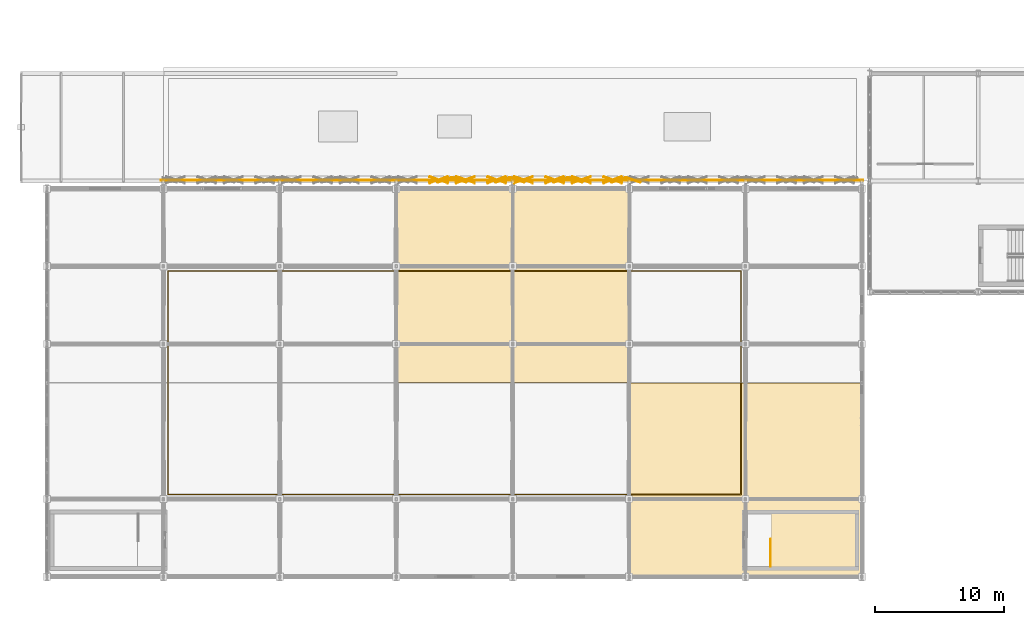
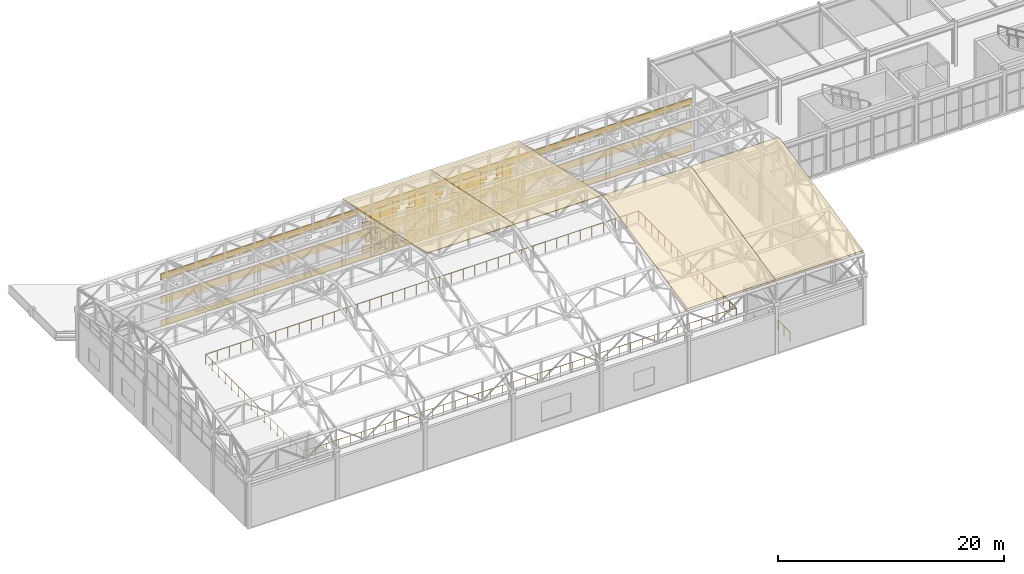
# One storey, part 103 of 112: 50 coverings, 2 railings.
"""IFC4 building model written with IfcOpenShell, lengths in metres."""

from ifc_helpers import new_model, si_unit, direction, frame, origin, origin_2d, place, context, subcontext, project, spatial, polyline, rectangle, circle, outline, extrude, material, layer, layer_set, type_object, element, save


model = new_model("IFC4")

# Units and contexts
model_context = context("Model", 3, precision=1e-05, world=origin(), true_north=direction((0.0, 1.0)))
body_context = subcontext(model_context, "Body", "Model", "MODEL_VIEW")
ifc_project = project(units=[si_unit("LENGTHUNIT", "METRE"), si_unit("AREAUNIT", "SQUARE_METRE"), si_unit("VOLUMEUNIT", "CUBIC_METRE"), si_unit("PLANEANGLEUNIT", "RADIAN"), si_unit("MASSUNIT", "GRAM", prefix="KILO")], contexts=[model_context])

# Site, building, storey
site_placement = place(None, origin())
site = spatial("IfcSite", under=ifc_project, at=site_placement, CompositionType="ELEMENT")
building_placement = place(site_placement, origin())
building = spatial("IfcBuilding", under=site, at=building_placement, Name="Kaldris Quays Convention Centre", CompositionType="ELEMENT")
storey_placement = place(building_placement, frame((0.0, 0.0, 16.800048828125)))
storey = spatial("IfcBuildingStorey", under=building, at=storey_placement, Name="L03", CompositionType="ELEMENT", Elevation=16.800048828125)

# Coverings
ifc_material_1 = material(Name="Alabaster white star-pierced anodized aluminium panel", Category="aluminium")
ifc_layer_1 = layer(ifc_material_1, 0.054931640625)
ifc_layer_set_1 = layer_set([ifc_layer_1], Name="Alabaster white star-pierced anodized aluminium panel")
covering_type_1 = type_object("IfcCoveringType", Name="ALABASTER WHITE STANDING SEAM ROOF SRF1", PredefinedType="ROOFING", material=ifc_layer_set_1)
for number, where, z_axis, x_axis, name in (
    (1, (65.0, 16.0, 7.91015625), (0.0, -0.208631761639, 0.977994267895), (1.0, 0.0, 0.0), "Hall Alabaster White Standing-Seam Roof Panel 28"),
    (2, (74.0, 16.0, 7.91015625), (0.0, -0.208631761639, 0.977994267895), (1.0, 0.0, 0.0), "Hall Alabaster White Standing-Seam Roof Panel 29"),
    (3, (47.0, 31.02490234375, 11.104736328125), (0.0, 0.208631761639, 0.977994267895), (1.0, 0.0, 0.0), "Hall Alabaster White Standing-Seam Roof Panel 33"),
    (4, (56.0, 31.02490234375, 11.104736328125), (0.0, 0.208631761639, 0.977994267895), (1.0, 0.0, 0.0), "Hall Alabaster White Standing-Seam Roof Panel 34"),
):
    element("IfcCovering", number, at=place(storey_placement, frame(where, z_axis=z_axis, x_axis=x_axis)), inside=storey, type_object=covering_type_1, Name=name, PredefinedType="ROOFING", context=body_context, shape_type="SweptSolid", body=[
        extrude(outline(polyline([(0.0, 0.0), (9.0, 0.0), (9.0, 15.312050538375889), (0.0, 15.312050538375889), (0.0, 0.0)])), origin(), (0.0, 0.0, -1.0), 0.054931640625),
    ])

# Railings
ifc_material_2 = material(Name="Stainless steel 1.4401", Category="steel")
railing_type_1 = type_object("IfcRailingType", Name="INTERIOR BALUSTRADE BL02", PredefinedType="BALUSTRADE", material=ifc_material_2)
railing_1_placement = place(storey_placement, frame((29.35009765625, 22.35009765625, 0.0)))
element("IfcRailing", 5, at=railing_1_placement, inside=storey, type_object=railing_type_1, Name="L03 Gallery Balustrade GRD-V3-VOID3", PredefinedType="BALUSTRADE", context=body_context, shape_type="SweptSolid", body=[
    extrude(circle(Radius=0.02392578125, at=origin_2d()), frame((0.0, 0.0, 1.11572265625), z_axis=(1.0, 0.0, 0.0), x_axis=(0.0, 1.0, 0.0)), (0.0, 0.0, 1.0), 44.2998046875),
    extrude(circle(Radius=0.02392578125, at=origin_2d()), frame((44.2998046875, 0.0, 1.11572265625), z_axis=(0.0, 1.0, 0.0), x_axis=(-1.0, 0.0, 0.0)), (0.0, 0.0, 1.0), 17.2998046875),
    extrude(circle(Radius=0.02392578125, at=origin_2d()), frame((44.2998046875, 17.2998046875, 1.11572265625), z_axis=(-1.0, 0.0, 0.0), x_axis=(0.0, -1.0, 0.0)), (0.0, 0.0, 1.0), 44.2998046875),
    extrude(circle(Radius=0.02392578125, at=origin_2d()), frame((0.0, 17.2998046875, 1.11572265625), z_axis=(0.0, -1.0, 0.0), x_axis=(1.0, 0.0, 0.0)), (0.0, 0.0, 1.0), 17.2998046875),
    extrude(circle(Radius=0.02099609375, at=origin_2d()), origin(), (0.0, 0.0, 1.0), 1.091796875),
    extrude(circle(Radius=0.02099609375, at=origin_2d()), frame((1.197265625, 0.0, 0.0)), (0.0, 0.0, 1.0), 1.091796875),
    extrude(circle(Radius=0.02099609375, at=origin_2d()), frame((2.39453125, 0.0, 0.0)), (0.0, 0.0, 1.0), 1.091796875),
    extrude(circle(Radius=0.02099609375, at=origin_2d()), frame((3.591796875, 0.0, 0.0)), (0.0, 0.0, 1.0), 1.091796875),
    extrude(circle(Radius=0.02099609375, at=origin_2d()), frame((4.7890625, 0.0, 0.0)), (0.0, 0.0, 1.0), 1.091796875),
    extrude(circle(Radius=0.02099609375, at=origin_2d()), frame((5.986572265625, 0.0, 0.0)), (0.0, 0.0, 1.0), 1.091796875),
    extrude(circle(Radius=0.02099609375, at=origin_2d()), frame((7.183837890625, 0.0, 0.0)), (0.0, 0.0, 1.0), 1.091796875),
    extrude(circle(Radius=0.02099609375, at=origin_2d()), frame((8.381103515625, 0.0, 0.0)), (0.0, 0.0, 1.0), 1.091796875),
    extrude(circle(Radius=0.02099609375, at=origin_2d()), frame((9.578369140625, 0.0, 0.0)), (0.0, 0.0, 1.0), 1.091796875),
    extrude(circle(Radius=0.02099609375, at=origin_2d()), frame((10.775634765625, 0.0, 0.0)), (0.0, 0.0, 1.0), 1.091796875),
    extrude(circle(Radius=0.02099609375, at=origin_2d()), frame((11.972900390625, 0.0, 0.0)), (0.0, 0.0, 1.0), 1.091796875),
    extrude(circle(Radius=0.02099609375, at=origin_2d()), frame((13.170166015625, 0.0, 0.0)), (0.0, 0.0, 1.0), 1.091796875),
    extrude(circle(Radius=0.02099609375, at=origin_2d()), frame((14.367431640625, 0.0, 0.0)), (0.0, 0.0, 1.0), 1.091796875),
    extrude(circle(Radius=0.02099609375, at=origin_2d()), frame((15.564697265625, 0.0, 0.0)), (0.0, 0.0, 1.0), 1.091796875),
    extrude(circle(Radius=0.02099609375, at=origin_2d()), frame((16.76220703125, 0.0, 0.0)), (0.0, 0.0, 1.0), 1.091796875),
    extrude(circle(Radius=0.02099609375, at=origin_2d()), frame((17.95947265625, 0.0, 0.0)), (0.0, 0.0, 1.0), 1.091796875),
    extrude(circle(Radius=0.02099609375, at=origin_2d()), frame((19.15673828125, 0.0, 0.0)), (0.0, 0.0, 1.0), 1.091796875),
    extrude(circle(Radius=0.02099609375, at=origin_2d()), frame((20.35400390625, 0.0, 0.0)), (0.0, 0.0, 1.0), 1.091796875),
    extrude(circle(Radius=0.02099609375, at=origin_2d()), frame((21.55126953125, 0.0, 0.0)), (0.0, 0.0, 1.0), 1.091796875),
    extrude(circle(Radius=0.02099609375, at=origin_2d()), frame((22.74853515625, 0.0, 0.0)), (0.0, 0.0, 1.0), 1.091796875),
    extrude(circle(Radius=0.02099609375, at=origin_2d()), frame((23.94580078125, 0.0, 0.0)), (0.0, 0.0, 1.0), 1.091796875),
    extrude(circle(Radius=0.02099609375, at=origin_2d()), frame((25.14306640625, 0.0, 0.0)), (0.0, 0.0, 1.0), 1.091796875),
    extrude(circle(Radius=0.02099609375, at=origin_2d()), frame((26.34033203125, 0.0, 0.0)), (0.0, 0.0, 1.0), 1.091796875),
    extrude(circle(Radius=0.02099609375, at=origin_2d()), frame((27.53759765625, 0.0, 0.0)), (0.0, 0.0, 1.0), 1.091796875),
    extrude(circle(Radius=0.02099609375, at=origin_2d()), frame((28.735107421875, 0.0, 0.0)), (0.0, 0.0, 1.0), 1.091796875),
    extrude(circle(Radius=0.02099609375, at=origin_2d()), frame((29.932373046875, 0.0, 0.0)), (0.0, 0.0, 1.0), 1.091796875),
    extrude(circle(Radius=0.02099609375, at=origin_2d()), frame((31.129638671875, 0.0, 0.0)), (0.0, 0.0, 1.0), 1.091796875),
    extrude(circle(Radius=0.02099609375, at=origin_2d()), frame((32.326904296875, 0.0, 0.0)), (0.0, 0.0, 1.0), 1.091796875),
    extrude(circle(Radius=0.02099609375, at=origin_2d()), frame((33.524169921875, 0.0, 0.0)), (0.0, 0.0, 1.0), 1.091796875),
    extrude(circle(Radius=0.02099609375, at=origin_2d()), frame((34.721435546875, 0.0, 0.0)), (0.0, 0.0, 1.0), 1.091796875),
    extrude(circle(Radius=0.02099609375, at=origin_2d()), frame((35.918701171875, 0.0, 0.0)), (0.0, 0.0, 1.0), 1.091796875),
    extrude(circle(Radius=0.02099609375, at=origin_2d()), frame((37.115966796875, 0.0, 0.0)), (0.0, 0.0, 1.0), 1.091796875),
    extrude(circle(Radius=0.02099609375, at=origin_2d()), frame((38.313232421875, 0.0, 0.0)), (0.0, 0.0, 1.0), 1.091796875),
    extrude(circle(Radius=0.02099609375, at=origin_2d()), frame((39.5107421875, 0.0, 0.0)), (0.0, 0.0, 1.0), 1.091796875),
    extrude(circle(Radius=0.02099609375, at=origin_2d()), frame((40.7080078125, 0.0, 0.0)), (0.0, 0.0, 1.0), 1.091796875),
    extrude(circle(Radius=0.02099609375, at=origin_2d()), frame((41.9052734375, 0.0, 0.0)), (0.0, 0.0, 1.0), 1.091796875),
    extrude(circle(Radius=0.02099609375, at=origin_2d()), frame((43.1025390625, 0.0, 0.0)), (0.0, 0.0, 1.0), 1.091796875),
    extrude(circle(Radius=0.02099609375, at=origin_2d()), frame((44.2998046875, 0.0, 0.0)), (0.0, 0.0, 1.0), 1.091796875),
    extrude(circle(Radius=0.02099609375, at=origin_2d()), frame((44.2998046875, 1.1533203125, 0.0)), (0.0, 0.0, 1.0), 1.091796875),
    extrude(circle(Radius=0.02099609375, at=origin_2d()), frame((44.2998046875, 2.306640625, 0.0)), (0.0, 0.0, 1.0), 1.091796875),
    extrude(circle(Radius=0.02099609375, at=origin_2d()), frame((44.2998046875, 3.4599609375, 0.0)), (0.0, 0.0, 1.0), 1.091796875),
    extrude(circle(Radius=0.02099609375, at=origin_2d()), frame((44.2998046875, 4.61328125, 0.0)), (0.0, 0.0, 1.0), 1.091796875),
    extrude(circle(Radius=0.02099609375, at=origin_2d()), frame((44.2998046875, 5.7666015625, 0.0)), (0.0, 0.0, 1.0), 1.091796875),
    extrude(circle(Radius=0.02099609375, at=origin_2d()), frame((44.2998046875, 6.919921875, 0.0)), (0.0, 0.0, 1.0), 1.091796875),
    extrude(circle(Radius=0.02099609375, at=origin_2d()), frame((44.2998046875, 8.0732421875, 0.0)), (0.0, 0.0, 1.0), 1.091796875),
    extrude(circle(Radius=0.02099609375, at=origin_2d()), frame((44.2998046875, 9.2265625, 0.0)), (0.0, 0.0, 1.0), 1.091796875),
    extrude(circle(Radius=0.02099609375, at=origin_2d()), frame((44.2998046875, 10.3798828125, 0.0)), (0.0, 0.0, 1.0), 1.091796875),
    extrude(circle(Radius=0.02099609375, at=origin_2d()), frame((44.2998046875, 11.533203125, 0.0)), (0.0, 0.0, 1.0), 1.091796875),
    extrude(circle(Radius=0.02099609375, at=origin_2d()), frame((44.2998046875, 12.6865234375, 0.0)), (0.0, 0.0, 1.0), 1.091796875),
    extrude(circle(Radius=0.02099609375, at=origin_2d()), frame((44.2998046875, 13.83984375, 0.0)), (0.0, 0.0, 1.0), 1.091796875),
    extrude(circle(Radius=0.02099609375, at=origin_2d()), frame((44.2998046875, 14.9931640625, 0.0)), (0.0, 0.0, 1.0), 1.091796875),
    extrude(circle(Radius=0.02099609375, at=origin_2d()), frame((44.2998046875, 16.146484375, 0.0)), (0.0, 0.0, 1.0), 1.091796875),
    extrude(circle(Radius=0.02099609375, at=origin_2d()), frame((44.2998046875, 17.2998046875, 0.0)), (0.0, 0.0, 1.0), 1.091796875),
    extrude(circle(Radius=0.02099609375, at=origin_2d()), frame((43.1025390625, 17.2998046875, 0.0)), (0.0, 0.0, 1.0), 1.091796875),
    extrude(circle(Radius=0.02099609375, at=origin_2d()), frame((41.9052734375, 17.2998046875, 0.0)), (0.0, 0.0, 1.0), 1.091796875),
    extrude(circle(Radius=0.02099609375, at=origin_2d()), frame((40.7080078125, 17.2998046875, 0.0)), (0.0, 0.0, 1.0), 1.091796875),
    extrude(circle(Radius=0.02099609375, at=origin_2d()), frame((39.5107421875, 17.2998046875, 0.0)), (0.0, 0.0, 1.0), 1.091796875),
    extrude(circle(Radius=0.02099609375, at=origin_2d()), frame((38.313232421875, 17.2998046875, 0.0)), (0.0, 0.0, 1.0), 1.091796875),
    extrude(circle(Radius=0.02099609375, at=origin_2d()), frame((37.115966796875, 17.2998046875, 0.0)), (0.0, 0.0, 1.0), 1.091796875),
    extrude(circle(Radius=0.02099609375, at=origin_2d()), frame((35.918701171875, 17.2998046875, 0.0)), (0.0, 0.0, 1.0), 1.091796875),
    extrude(circle(Radius=0.02099609375, at=origin_2d()), frame((34.721435546875, 17.2998046875, 0.0)), (0.0, 0.0, 1.0), 1.091796875),
    extrude(circle(Radius=0.02099609375, at=origin_2d()), frame((33.524169921875, 17.2998046875, 0.0)), (0.0, 0.0, 1.0), 1.091796875),
    extrude(circle(Radius=0.02099609375, at=origin_2d()), frame((32.326904296875, 17.2998046875, 0.0)), (0.0, 0.0, 1.0), 1.091796875),
    extrude(circle(Radius=0.02099609375, at=origin_2d()), frame((31.129638671875, 17.2998046875, 0.0)), (0.0, 0.0, 1.0), 1.091796875),
    extrude(circle(Radius=0.02099609375, at=origin_2d()), frame((29.932373046875, 17.2998046875, 0.0)), (0.0, 0.0, 1.0), 1.091796875),
    extrude(circle(Radius=0.02099609375, at=origin_2d()), frame((28.735107421875, 17.2998046875, 0.0)), (0.0, 0.0, 1.0), 1.091796875),
    extrude(circle(Radius=0.02099609375, at=origin_2d()), frame((27.53759765625, 17.2998046875, 0.0)), (0.0, 0.0, 1.0), 1.091796875),
    extrude(circle(Radius=0.02099609375, at=origin_2d()), frame((26.34033203125, 17.2998046875, 0.0)), (0.0, 0.0, 1.0), 1.091796875),
    extrude(circle(Radius=0.02099609375, at=origin_2d()), frame((25.14306640625, 17.2998046875, 0.0)), (0.0, 0.0, 1.0), 1.091796875),
    extrude(circle(Radius=0.02099609375, at=origin_2d()), frame((23.94580078125, 17.2998046875, 0.0)), (0.0, 0.0, 1.0), 1.091796875),
    extrude(circle(Radius=0.02099609375, at=origin_2d()), frame((22.74853515625, 17.2998046875, 0.0)), (0.0, 0.0, 1.0), 1.091796875),
    extrude(circle(Radius=0.02099609375, at=origin_2d()), frame((21.55126953125, 17.2998046875, 0.0)), (0.0, 0.0, 1.0), 1.091796875),
    extrude(circle(Radius=0.02099609375, at=origin_2d()), frame((20.35400390625, 17.2998046875, 0.0)), (0.0, 0.0, 1.0), 1.091796875),
    extrude(circle(Radius=0.02099609375, at=origin_2d()), frame((19.15673828125, 17.2998046875, 0.0)), (0.0, 0.0, 1.0), 1.091796875),
    extrude(circle(Radius=0.02099609375, at=origin_2d()), frame((17.95947265625, 17.2998046875, 0.0)), (0.0, 0.0, 1.0), 1.091796875),
    extrude(circle(Radius=0.02099609375, at=origin_2d()), frame((16.76220703125, 17.2998046875, 0.0)), (0.0, 0.0, 1.0), 1.091796875),
    extrude(circle(Radius=0.02099609375, at=origin_2d()), frame((15.564697265625, 17.2998046875, 0.0)), (0.0, 0.0, 1.0), 1.091796875),
    extrude(circle(Radius=0.02099609375, at=origin_2d()), frame((14.367431640625, 17.2998046875, 0.0)), (0.0, 0.0, 1.0), 1.091796875),
    extrude(circle(Radius=0.02099609375, at=origin_2d()), frame((13.170166015625, 17.2998046875, 0.0)), (0.0, 0.0, 1.0), 1.091796875),
    extrude(circle(Radius=0.02099609375, at=origin_2d()), frame((11.972900390625, 17.2998046875, 0.0)), (0.0, 0.0, 1.0), 1.091796875),
    extrude(circle(Radius=0.02099609375, at=origin_2d()), frame((10.775634765625, 17.2998046875, 0.0)), (0.0, 0.0, 1.0), 1.091796875),
    extrude(circle(Radius=0.02099609375, at=origin_2d()), frame((9.578369140625, 17.2998046875, 0.0)), (0.0, 0.0, 1.0), 1.091796875),
    extrude(circle(Radius=0.02099609375, at=origin_2d()), frame((8.381103515625, 17.2998046875, 0.0)), (0.0, 0.0, 1.0), 1.091796875),
    extrude(circle(Radius=0.02099609375, at=origin_2d()), frame((7.183837890625, 17.2998046875, 0.0)), (0.0, 0.0, 1.0), 1.091796875),
    extrude(circle(Radius=0.02099609375, at=origin_2d()), frame((5.986572265625, 17.2998046875, 0.0)), (0.0, 0.0, 1.0), 1.091796875),
    extrude(circle(Radius=0.02099609375, at=origin_2d()), frame((4.7890625, 17.2998046875, 0.0)), (0.0, 0.0, 1.0), 1.091796875),
    extrude(circle(Radius=0.02099609375, at=origin_2d()), frame((3.591796875, 17.2998046875, 0.0)), (0.0, 0.0, 1.0), 1.091796875),
    extrude(circle(Radius=0.02099609375, at=origin_2d()), frame((2.39453125, 17.2998046875, 0.0)), (0.0, 0.0, 1.0), 1.091796875),
    extrude(circle(Radius=0.02099609375, at=origin_2d()), frame((1.197265625, 17.2998046875, 0.0)), (0.0, 0.0, 1.0), 1.091796875),
    extrude(circle(Radius=0.02099609375, at=origin_2d()), frame((0.0, 17.2998046875, 0.0)), (0.0, 0.0, 1.0), 1.091796875),
    extrude(circle(Radius=0.02099609375, at=origin_2d()), frame((0.0, 16.146484375, 0.0)), (0.0, 0.0, 1.0), 1.091796875),
    extrude(circle(Radius=0.02099609375, at=origin_2d()), frame((0.0, 14.9931640625, 0.0)), (0.0, 0.0, 1.0), 1.091796875),
    extrude(circle(Radius=0.02099609375, at=origin_2d()), frame((0.0, 13.83984375, 0.0)), (0.0, 0.0, 1.0), 1.091796875),
    extrude(circle(Radius=0.02099609375, at=origin_2d()), frame((0.0, 12.6865234375, 0.0)), (0.0, 0.0, 1.0), 1.091796875),
    extrude(circle(Radius=0.02099609375, at=origin_2d()), frame((0.0, 11.533203125, 0.0)), (0.0, 0.0, 1.0), 1.091796875),
    extrude(circle(Radius=0.02099609375, at=origin_2d()), frame((0.0, 10.3798828125, 0.0)), (0.0, 0.0, 1.0), 1.091796875),
    extrude(circle(Radius=0.02099609375, at=origin_2d()), frame((0.0, 9.2265625, 0.0)), (0.0, 0.0, 1.0), 1.091796875),
    extrude(circle(Radius=0.02099609375, at=origin_2d()), frame((0.0, 8.0732421875, 0.0)), (0.0, 0.0, 1.0), 1.091796875),
    extrude(circle(Radius=0.02099609375, at=origin_2d()), frame((0.0, 6.919921875, 0.0)), (0.0, 0.0, 1.0), 1.091796875),
    extrude(circle(Radius=0.02099609375, at=origin_2d()), frame((0.0, 5.7666015625, 0.0)), (0.0, 0.0, 1.0), 1.091796875),
    extrude(circle(Radius=0.02099609375, at=origin_2d()), frame((0.0, 4.61328125, 0.0)), (0.0, 0.0, 1.0), 1.091796875),
    extrude(circle(Radius=0.02099609375, at=origin_2d()), frame((0.0, 3.4599609375, 0.0)), (0.0, 0.0, 1.0), 1.091796875),
    extrude(circle(Radius=0.02099609375, at=origin_2d()), frame((0.0, 2.306640625, 0.0)), (0.0, 0.0, 1.0), 1.091796875),
    extrude(circle(Radius=0.02099609375, at=origin_2d()), frame((0.0, 1.1533203125, 0.0)), (0.0, 0.0, 1.0), 1.091796875),
])
ifc_material_3 = material(Name="Steel S355J2", Category="steel")
railing_type_2 = type_object("IfcRailingType", Name="INTERIOR GUARDRAIL GR01", PredefinedType="GUARDRAIL", material=ifc_material_3)
railing_2_placement = place(storey_placement, frame((75.949951171875, 16.800048828125, 0.0)))
element("IfcRailing", 6, at=railing_2_placement, inside=storey, type_object=railing_type_2, Name="L03 ST06 Top Well Guardrail 1", PredefinedType="GUARDRAIL", context=body_context, shape_type="SweptSolid", body=[
    extrude(circle(Radius=0.02392578125, at=origin_2d()), frame((0.0, 0.0, 1.076171875), z_axis=(0.0, 1.0, 0.0), x_axis=(-1.0, 0.0, 0.0)), (0.0, 0.0, 1.0), 2.099853515625),
    extrude(circle(Radius=0.02099609375, at=origin_2d()), origin(), (0.0, 0.0, 1.0), 1.052001953125),
    extrude(circle(Radius=0.02099609375, at=origin_2d()), frame((0.0, 1.0498046875, 0.0)), (0.0, 0.0, 1.0), 1.052001953125),
    extrude(circle(Radius=0.02099609375, at=origin_2d()), frame((0.0, 2.099853515625, 0.0)), (0.0, 0.0, 1.0), 1.052001953125),
])

# Coverings
ifc_layer_2 = layer(ifc_material_1, 0.044921875)
ifc_layer_set_2 = layer_set([ifc_layer_2], Name="Alabaster white star-pierced anodized aluminium panel")
covering_type_2 = type_object("IfcCoveringType", Name="STAR PIERCED WHITE FOLDED SCREEN CL01", PredefinedType="CLADDING", material=ifc_layer_set_2)
covering_1_placement = place(storey_placement, frame((55.949951171875, 46.64990234375, 0.06005859375), z_axis=(0.0, 0.0, 1.0), x_axis=(1.0, 0.0, 0.0)))
element("IfcCovering", 7, at=covering_1_placement, inside=storey, type_object=covering_type_2, Name="V3NU White Screen Folded Band 3108", PredefinedType="CLADDING", context=body_context, shape_type="SweptSolid", body=[
    extrude(rectangle(XDim=54.340087890625, YDim=0.054931640625, at=origin_2d()), origin(), (0.0, 0.0, 1.0), 0.679931640625),
])
covering_2_placement = place(storey_placement, frame((55.949951171875, 46.64990234375, 2.5048828125), z_axis=(0.0, 0.0, 1.0), x_axis=(1.0, 0.0, 0.0)))
element("IfcCovering", 8, at=covering_2_placement, inside=storey, type_object=covering_type_2, Name="V3NU White Screen Folded Band 3109", PredefinedType="CLADDING", context=body_context, shape_type="SweptSolid", body=[
    extrude(rectangle(XDim=54.340087890625, YDim=0.054931640625, at=origin_2d()), origin(), (0.0, 0.0, 1.0), 0.840087890625),
])
covering_3_placement = place(storey_placement, frame((55.949951171875, 46.64990234375, 5.10986328125), z_axis=(0.0, 0.0, 1.0), x_axis=(1.0, 0.0, 0.0)))
element("IfcCovering", 9, at=covering_3_placement, inside=storey, type_object=covering_type_2, Name="V3NU White Screen Folded Band 3110", PredefinedType="CLADDING", context=body_context, shape_type="SweptSolid", body=[
    extrude(rectangle(XDim=54.340087890625, YDim=0.054931640625, at=origin_2d()), origin(), (0.0, 0.0, 1.0), 0.679931640625),
])
covering_4_placement = place(storey_placement, frame((50.73388671875, 46.659912109375, 0.33984375), z_axis=(0.0, 0.0, 1.0), x_axis=(0.945518575599, 0.325568154457, 0.0)))
element("IfcCovering", 10, at=covering_4_placement, inside=storey, type_object=covering_type_2, Name="V3NU Folded White Screen Stile 3160", PredefinedType="CLADDING", context=body_context, shape_type="SweptSolid", body=[
    extrude(rectangle(XDim=1.137939453125, YDim=0.054931640625, at=origin_2d()), origin(), (0.0, 0.0, 1.0), 2.64501953125),
])
for number, where, z_axis, x_axis, name in (
    (11, (50.285400390625, 46.679931640625, 0.55126953125), (0.0, 0.0, 1.0), (0.945518575599, -0.325568154457, 0.0), "V3NU Carved Star Corner Facet 3163"),
    (12, (50.285400390625, 46.679931640625, 1.914794921875), (0.0, 0.0, 1.0), (0.945518575599, 0.325568154457, 0.0), "V3NU Carved Star Corner Facet 3164"),
):
    element("IfcCovering", number, at=place(storey_placement, frame(where, z_axis=z_axis, x_axis=x_axis)), inside=storey, type_object=covering_type_2, Name=name, PredefinedType="CLADDING", context=body_context, shape_type="SweptSolid", body=[
        extrude(rectangle(XDim=1.52392578125, YDim=0.06494140625, at=origin_2d()), origin(), (0.0, 0.0, 1.0), 0.85888671875),
    ])
covering_5_placement = place(storey_placement, frame((50.73388671875, 46.659912109375, 2.864990234375), z_axis=(0.0, 0.0, 1.0), x_axis=(0.945518575599, 0.325568154457, 0.0)))
element("IfcCovering", 13, at=covering_5_placement, inside=storey, type_object=covering_type_2, Name="V3NU Folded White Screen Stile 3166", PredefinedType="CLADDING", context=body_context, shape_type="SweptSolid", body=[
    extrude(rectangle(XDim=1.137939453125, YDim=0.054931640625, at=origin_2d()), origin(), (0.0, 0.0, 1.0), 2.64501953125),
])
for number, where, z_axis, x_axis, name in (
    (14, (50.285400390625, 46.679931640625, 3.07666015625), (0.0, 0.0, 1.0), (0.945518575599, -0.325568154457, 0.0), "V3NU Carved Star Corner Facet 3169"),
    (15, (50.285400390625, 46.679931640625, 4.440185546875), (0.0, 0.0, 1.0), (0.945518575599, 0.325568154457, 0.0), "V3NU Carved Star Corner Facet 3170"),
):
    element("IfcCovering", number, at=place(storey_placement, frame(where, z_axis=z_axis, x_axis=x_axis)), inside=storey, type_object=covering_type_2, Name=name, PredefinedType="CLADDING", context=body_context, shape_type="SweptSolid", body=[
        extrude(rectangle(XDim=1.52392578125, YDim=0.06494140625, at=origin_2d()), origin(), (0.0, 0.0, 1.0), 0.85791015625),
    ])
for number, where, z_axis, x_axis, name in (
    (16, (51.8994140625, 46.659912109375, 0.33984375), (0.0, 0.0, 1.0), (0.945518575599, -0.325568154457, 0.0), "V3NU Folded White Screen Stile 3171"),
    (17, (55.21728515625, 46.659912109375, 0.33984375), (0.0, 0.0, 1.0), (0.945518575599, 0.325568154457, 0.0), "V3NU Folded White Screen Stile 3172"),
):
    element("IfcCovering", number, at=place(storey_placement, frame(where, z_axis=z_axis, x_axis=x_axis)), inside=storey, type_object=covering_type_2, Name=name, PredefinedType="CLADDING", context=body_context, shape_type="SweptSolid", body=[
        extrude(rectangle(XDim=1.137939453125, YDim=0.054931640625, at=origin_2d()), origin(), (0.0, 0.0, 1.0), 2.64501953125),
    ])
for number, where, z_axis, x_axis, name in (
    (18, (52.347900390625, 46.679931640625, 0.55126953125), (0.0, 0.0, 1.0), (0.945518575599, 0.325568154457, 0.0), "V3NU Carved Star Corner Facet 3173"),
    (19, (52.347900390625, 46.679931640625, 1.914794921875), (0.0, 0.0, 1.0), (0.945518575599, -0.325568154457, 0.0), "V3NU Carved Star Corner Facet 3174"),
    (20, (54.768798828125, 46.679931640625, 0.55126953125), (0.0, 0.0, 1.0), (0.945518575599, -0.325568154457, 0.0), "V3NU Carved Star Corner Facet 3175"),
    (21, (54.768798828125, 46.679931640625, 1.914794921875), (0.0, 0.0, 1.0), (0.945518575599, 0.325568154457, 0.0), "V3NU Carved Star Corner Facet 3176"),
):
    element("IfcCovering", number, at=place(storey_placement, frame(where, z_axis=z_axis, x_axis=x_axis)), inside=storey, type_object=covering_type_2, Name=name, PredefinedType="CLADDING", context=body_context, shape_type="SweptSolid", body=[
        extrude(rectangle(XDim=1.52392578125, YDim=0.06494140625, at=origin_2d()), origin(), (0.0, 0.0, 1.0), 0.85888671875),
    ])
for number, where, z_axis, x_axis, name in (
    (22, (51.8994140625, 46.659912109375, 2.864990234375), (0.0, 0.0, 1.0), (0.945518575599, -0.325568154457, 0.0), "V3NU Folded White Screen Stile 3177"),
    (23, (55.21728515625, 46.659912109375, 2.864990234375), (0.0, 0.0, 1.0), (0.945518575599, 0.325568154457, 0.0), "V3NU Folded White Screen Stile 3178"),
):
    element("IfcCovering", number, at=place(storey_placement, frame(where, z_axis=z_axis, x_axis=x_axis)), inside=storey, type_object=covering_type_2, Name=name, PredefinedType="CLADDING", context=body_context, shape_type="SweptSolid", body=[
        extrude(rectangle(XDim=1.137939453125, YDim=0.054931640625, at=origin_2d()), origin(), (0.0, 0.0, 1.0), 2.64501953125),
    ])
for number, where, z_axis, x_axis, name in (
    (24, (52.347900390625, 46.679931640625, 3.07666015625), (0.0, 0.0, 1.0), (0.945518575599, 0.325568154457, 0.0), "V3NU Carved Star Corner Facet 3179"),
    (25, (52.347900390625, 46.679931640625, 4.440185546875), (0.0, 0.0, 1.0), (0.945518575599, -0.325568154457, 0.0), "V3NU Carved Star Corner Facet 3180"),
    (26, (54.768798828125, 46.679931640625, 3.07666015625), (0.0, 0.0, 1.0), (0.945518575599, -0.325568154457, 0.0), "V3NU Carved Star Corner Facet 3181"),
    (27, (54.768798828125, 46.679931640625, 4.440185546875), (0.0, 0.0, 1.0), (0.945518575599, 0.325568154457, 0.0), "V3NU Carved Star Corner Facet 3182"),
):
    element("IfcCovering", number, at=place(storey_placement, frame(where, z_axis=z_axis, x_axis=x_axis)), inside=storey, type_object=covering_type_2, Name=name, PredefinedType="CLADDING", context=body_context, shape_type="SweptSolid", body=[
        extrude(rectangle(XDim=1.52392578125, YDim=0.06494140625, at=origin_2d()), origin(), (0.0, 0.0, 1.0), 0.85791015625),
    ])
for number, where, z_axis, x_axis, name in (
    (28, (56.3828125, 46.659912109375, 0.33984375), (0.0, 0.0, 1.0), (0.945518575599, -0.325568154457, 0.0), "V3NU Folded White Screen Stile 3183"),
    (29, (59.700439453125, 46.659912109375, 0.33984375), (0.0, 0.0, 1.0), (0.945518575599, 0.325568154457, 0.0), "V3NU Folded White Screen Stile 3184"),
):
    element("IfcCovering", number, at=place(storey_placement, frame(where, z_axis=z_axis, x_axis=x_axis)), inside=storey, type_object=covering_type_2, Name=name, PredefinedType="CLADDING", context=body_context, shape_type="SweptSolid", body=[
        extrude(rectangle(XDim=1.137939453125, YDim=0.054931640625, at=origin_2d()), origin(), (0.0, 0.0, 1.0), 2.64501953125),
    ])
for number, where, z_axis, x_axis, name in (
    (30, (56.831298828125, 46.679931640625, 0.55126953125), (0.0, 0.0, 1.0), (0.945518575599, 0.325568154457, 0.0), "V3NU Carved Star Corner Facet 3185"),
    (31, (56.831298828125, 46.679931640625, 1.914794921875), (0.0, 0.0, 1.0), (0.945518575599, -0.325568154457, 0.0), "V3NU Carved Star Corner Facet 3186"),
    (32, (59.252197265625, 46.679931640625, 0.55126953125), (0.0, 0.0, 1.0), (0.945518575599, -0.325568154457, 0.0), "V3NU Carved Star Corner Facet 3187"),
    (33, (59.252197265625, 46.679931640625, 1.914794921875), (0.0, 0.0, 1.0), (0.945518575599, 0.325568154457, 0.0), "V3NU Carved Star Corner Facet 3188"),
):
    element("IfcCovering", number, at=place(storey_placement, frame(where, z_axis=z_axis, x_axis=x_axis)), inside=storey, type_object=covering_type_2, Name=name, PredefinedType="CLADDING", context=body_context, shape_type="SweptSolid", body=[
        extrude(rectangle(XDim=1.52392578125, YDim=0.06494140625, at=origin_2d()), origin(), (0.0, 0.0, 1.0), 0.85888671875),
    ])
for number, where, z_axis, x_axis, name in (
    (34, (56.3828125, 46.659912109375, 2.864990234375), (0.0, 0.0, 1.0), (0.945518575599, -0.325568154457, 0.0), "V3NU Folded White Screen Stile 3189"),
    (35, (59.700439453125, 46.659912109375, 2.864990234375), (0.0, 0.0, 1.0), (0.945518575599, 0.325568154457, 0.0), "V3NU Folded White Screen Stile 3190"),
):
    element("IfcCovering", number, at=place(storey_placement, frame(where, z_axis=z_axis, x_axis=x_axis)), inside=storey, type_object=covering_type_2, Name=name, PredefinedType="CLADDING", context=body_context, shape_type="SweptSolid", body=[
        extrude(rectangle(XDim=1.137939453125, YDim=0.054931640625, at=origin_2d()), origin(), (0.0, 0.0, 1.0), 2.64501953125),
    ])
for number, where, z_axis, x_axis, name in (
    (36, (56.831298828125, 46.679931640625, 3.07666015625), (0.0, 0.0, 1.0), (0.945518575599, 0.325568154457, 0.0), "V3NU Carved Star Corner Facet 3191"),
    (37, (56.831298828125, 46.679931640625, 4.440185546875), (0.0, 0.0, 1.0), (0.945518575599, -0.325568154457, 0.0), "V3NU Carved Star Corner Facet 3192"),
    (38, (59.252197265625, 46.679931640625, 3.07666015625), (0.0, 0.0, 1.0), (0.945518575599, -0.325568154457, 0.0), "V3NU Carved Star Corner Facet 3193"),
    (39, (59.252197265625, 46.679931640625, 4.440185546875), (0.0, 0.0, 1.0), (0.945518575599, 0.325568154457, 0.0), "V3NU Carved Star Corner Facet 3194"),
):
    element("IfcCovering", number, at=place(storey_placement, frame(where, z_axis=z_axis, x_axis=x_axis)), inside=storey, type_object=covering_type_2, Name=name, PredefinedType="CLADDING", context=body_context, shape_type="SweptSolid", body=[
        extrude(rectangle(XDim=1.52392578125, YDim=0.06494140625, at=origin_2d()), origin(), (0.0, 0.0, 1.0), 0.85791015625),
    ])
for number, where, z_axis, x_axis, name in (
    (40, (60.8662109375, 46.659912109375, 0.33984375), (0.0, 0.0, 1.0), (0.945518575599, -0.325568154457, 0.0), "V3NU Folded White Screen Stile 3195"),
    (41, (64.183837890625, 46.659912109375, 0.33984375), (0.0, 0.0, 1.0), (0.945518575599, 0.325568154457, 0.0), "V3NU Folded White Screen Stile 3196"),
):
    element("IfcCovering", number, at=place(storey_placement, frame(where, z_axis=z_axis, x_axis=x_axis)), inside=storey, type_object=covering_type_2, Name=name, PredefinedType="CLADDING", context=body_context, shape_type="SweptSolid", body=[
        extrude(rectangle(XDim=1.137939453125, YDim=0.054931640625, at=origin_2d()), origin(), (0.0, 0.0, 1.0), 2.64501953125),
    ])
for number, where, z_axis, x_axis, name in (
    (42, (61.314453125, 46.679931640625, 0.55126953125), (0.0, 0.0, 1.0), (0.945518575599, 0.325568154457, 0.0), "V3NU Carved Star Corner Facet 3197"),
    (43, (61.314453125, 46.679931640625, 1.914794921875), (0.0, 0.0, 1.0), (0.945518575599, -0.325568154457, 0.0), "V3NU Carved Star Corner Facet 3198"),
    (44, (63.735595703125, 46.679931640625, 0.55126953125), (0.0, 0.0, 1.0), (0.945518575599, -0.325568154457, 0.0), "V3NU Carved Star Corner Facet 3199"),
    (45, (63.735595703125, 46.679931640625, 1.914794921875), (0.0, 0.0, 1.0), (0.945518575599, 0.325568154457, 0.0), "V3NU Carved Star Corner Facet 3200"),
):
    element("IfcCovering", number, at=place(storey_placement, frame(where, z_axis=z_axis, x_axis=x_axis)), inside=storey, type_object=covering_type_2, Name=name, PredefinedType="CLADDING", context=body_context, shape_type="SweptSolid", body=[
        extrude(rectangle(XDim=1.52392578125, YDim=0.06494140625, at=origin_2d()), origin(), (0.0, 0.0, 1.0), 0.85888671875),
    ])
for number, where, z_axis, x_axis, name in (
    (46, (60.8662109375, 46.659912109375, 2.864990234375), (0.0, 0.0, 1.0), (0.945518575599, -0.325568154457, 0.0), "V3NU Folded White Screen Stile 3201"),
    (47, (64.183837890625, 46.659912109375, 2.864990234375), (0.0, 0.0, 1.0), (0.945518575599, 0.325568154457, 0.0), "V3NU Folded White Screen Stile 3202"),
):
    element("IfcCovering", number, at=place(storey_placement, frame(where, z_axis=z_axis, x_axis=x_axis)), inside=storey, type_object=covering_type_2, Name=name, PredefinedType="CLADDING", context=body_context, shape_type="SweptSolid", body=[
        extrude(rectangle(XDim=1.137939453125, YDim=0.054931640625, at=origin_2d()), origin(), (0.0, 0.0, 1.0), 2.64501953125),
    ])
for number, where, z_axis, x_axis, name in (
    (48, (61.314453125, 46.679931640625, 3.07666015625), (0.0, 0.0, 1.0), (0.945518575599, 0.325568154457, 0.0), "V3NU Carved Star Corner Facet 3203"),
    (49, (61.314453125, 46.679931640625, 4.440185546875), (0.0, 0.0, 1.0), (0.945518575599, -0.325568154457, 0.0), "V3NU Carved Star Corner Facet 3204"),
    (50, (63.735595703125, 46.679931640625, 3.07666015625), (0.0, 0.0, 1.0), (0.945518575599, -0.325568154457, 0.0), "V3NU Carved Star Corner Facet 3205"),
    (51, (63.735595703125, 46.679931640625, 4.440185546875), (0.0, 0.0, 1.0), (0.945518575599, 0.325568154457, 0.0), "V3NU Carved Star Corner Facet 3206"),
):
    element("IfcCovering", number, at=place(storey_placement, frame(where, z_axis=z_axis, x_axis=x_axis)), inside=storey, type_object=covering_type_2, Name=name, PredefinedType="CLADDING", context=body_context, shape_type="SweptSolid", body=[
        extrude(rectangle(XDim=1.52392578125, YDim=0.06494140625, at=origin_2d()), origin(), (0.0, 0.0, 1.0), 0.85791015625),
    ])
covering_6_placement = place(storey_placement, frame((65.349609375, 46.659912109375, 0.33984375), z_axis=(0.0, 0.0, 1.0), x_axis=(0.945518575599, -0.325568154457, 0.0)))
element("IfcCovering", 52, at=covering_6_placement, inside=storey, type_object=covering_type_2, Name="V3NU Folded White Screen Stile 3207", PredefinedType="CLADDING", context=body_context, shape_type="SweptSolid", body=[
    extrude(rectangle(XDim=1.137939453125, YDim=0.054931640625, at=origin_2d()), origin(), (0.0, 0.0, 1.0), 2.64501953125),
])

save(model, "model.ifc")
